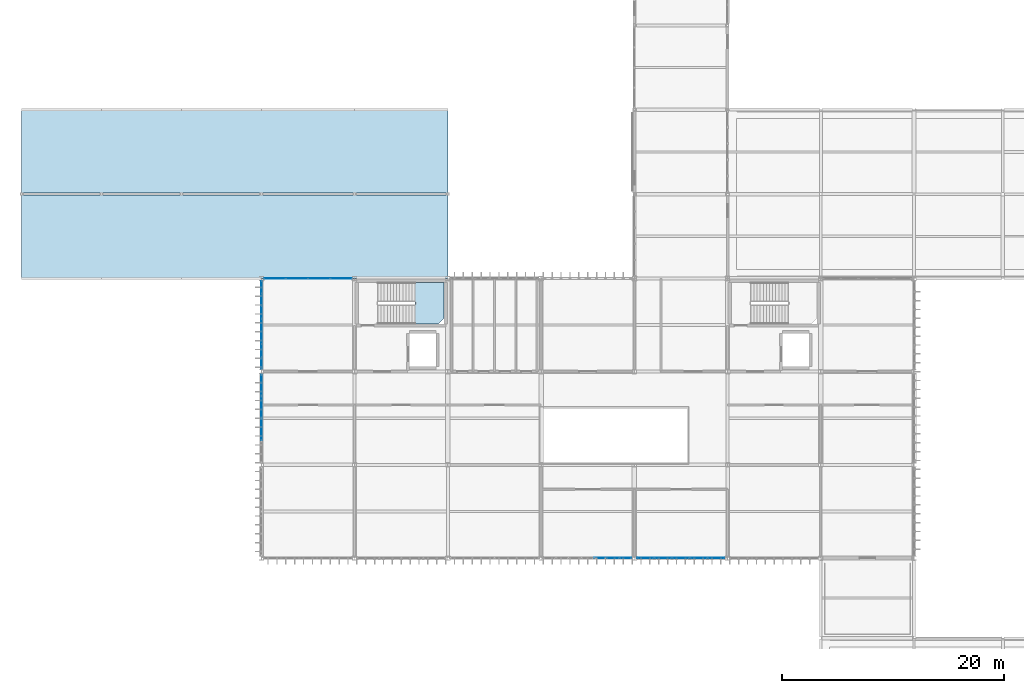
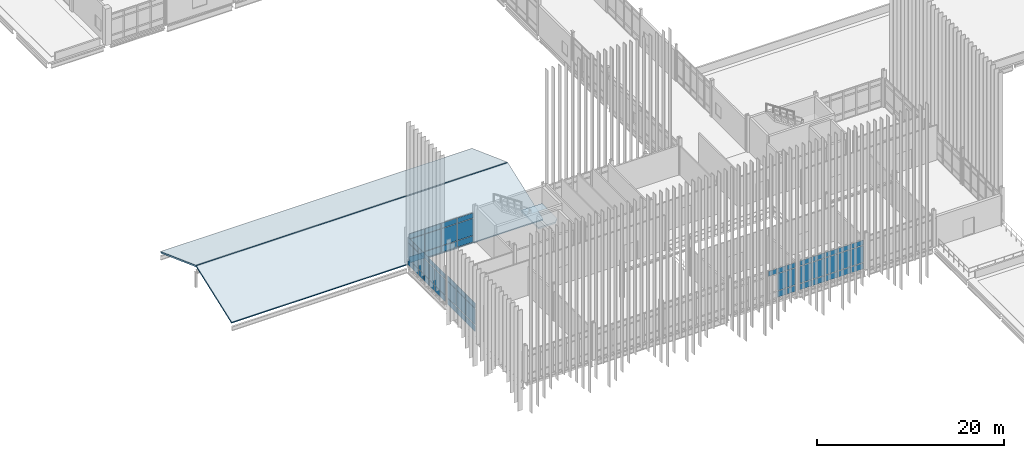
# One storey, part 97 of 153: 64 plates, 3 slabs, 6 elements without a shape of their own.
"""IFC4 building model written with IfcOpenShell, lengths in metres."""

from ifc_helpers import new_model, si_unit, direction, frame, origin, origin_2d, place, context, subcontext, project, spatial, polyline, rectangle, outline, extrude, material, layer, layer_set, type_object, element, aggregate, save


model = new_model("IFC4")

# Units and contexts
model_context = context("Model", 3, precision=1e-05, world=origin(), true_north=direction((0.0, 1.0)))
body_context = subcontext(model_context, "Body", "Model", "MODEL_VIEW")
ifc_project = project(units=[si_unit("LENGTHUNIT", "METRE"), si_unit("AREAUNIT", "SQUARE_METRE"), si_unit("VOLUMEUNIT", "CUBIC_METRE"), si_unit("PLANEANGLEUNIT", "RADIAN"), si_unit("MASSUNIT", "GRAM", prefix="KILO")], contexts=[model_context])

# Site, building, storey
site_placement = place(None, origin())
site = spatial("IfcSite", under=ifc_project, at=site_placement, CompositionType="ELEMENT")
building_placement = place(site_placement, origin())
building = spatial("IfcBuilding", under=site, at=building_placement, Name="Calvrana Isthmian Art Gallery", CompositionType="ELEMENT")
storey_placement = place(building_placement, frame((0.0, 0.0, 10.199951171875)))
storey = spatial("IfcBuildingStorey", under=building, at=storey_placement, Name="L02", CompositionType="ELEMENT", Elevation=10.199951171875)

# Curtain wall, plates
ifc_material_1 = material(Name="Anodized bronze aluminium 6063-T6", Category="aluminium")
ifc_layer_1 = layer(ifc_material_1, 0.179931640625, Name="Anodized bronze aluminium 6063-T6")
ifc_layer_set_1 = layer_set([ifc_layer_1], Name="Anodized bronze aluminium 6063-T6")
curtain_wall_type_1 = type_object("IfcCurtainWallType", Name="CW-STICK-080X39", PredefinedType="NOTDEFINED", material=ifc_layer_set_1)
curtain_wall_1_placement = place(storey_placement, origin())
curtain_wall_1 = element("IfcCurtainWall", 1, at=curtain_wall_1_placement, inside=storey, type_object=curtain_wall_type_1, Name="Curtain wall CW-148", PredefinedType="NOTDEFINED")
ifc_material_2 = material(Name="Low-E laminated solar glass", Category="glass")
ifc_layer_2 = layer(ifc_material_2, 0.028076171875, Name="Low-E laminated solar glass")
ifc_layer_set_2 = layer_set([ifc_layer_2], Name="Low-E laminated solar glass")
plate_type = type_object("IfcPlateType", Name="CWP-VISION-28", PredefinedType="CURTAIN_PANEL", material=ifc_layer_set_2)
plate_1_placement = place(storey_placement, frame((54.409423828125, 21.60009765625, 0.070068359375), z_axis=(0.0, 0.0, 1.0), x_axis=(-1.0, 0.0, 0.0)))
plate_1 = element("IfcPlate", 2, at=plate_1_placement, type_object=plate_type, Name="CW-148 panel 1.1", PredefinedType="CURTAIN_PANEL", context=body_context, shape_type="SweptSolid", body=[
    extrude(rectangle(XDim=1.032470703125, YDim=0.028076171875, at=origin_2d()), origin(), (0.0, 0.0, 1.0), 0.794921875),
])
plate_2_placement = place(storey_placement, frame((54.409423828125, 21.60009765625, 0.93505859375), z_axis=(0.0, 0.0, 1.0), x_axis=(-1.0, 0.0, 0.0)))
plate_2 = element("IfcPlate", 3, at=plate_2_placement, type_object=plate_type, Name="CW-148 panel 1.2", PredefinedType="CURTAIN_PANEL", context=body_context, shape_type="SweptSolid", body=[
    extrude(rectangle(XDim=1.032470703125, YDim=0.028076171875, at=origin_2d()), origin(), (0.0, 0.0, 1.0), 2.197998046875),
])
plate_3_placement = place(storey_placement, frame((54.409423828125, 21.60009765625, 3.203125), z_axis=(0.0, 0.0, 1.0), x_axis=(-1.0, 0.0, 0.0)))
plate_3 = element("IfcPlate", 4, at=plate_3_placement, type_object=plate_type, Name="CW-148 panel 1.3", PredefinedType="CURTAIN_PANEL", context=body_context, shape_type="SweptSolid", body=[
    extrude(rectangle(XDim=1.032470703125, YDim=0.028076171875, at=origin_2d()), origin(), (0.0, 0.0, 1.0), 0.64501953125),
])
plate_4_placement = place(storey_placement, frame((53.283203125, 21.60009765625, 0.070068359375), z_axis=(0.0, 0.0, 1.0), x_axis=(-1.0, 0.0, 0.0)))
plate_4 = element("IfcPlate", 5, at=plate_4_placement, type_object=plate_type, Name="CW-148 panel 2.1", PredefinedType="CURTAIN_PANEL", context=body_context, shape_type="SweptSolid", body=[
    extrude(rectangle(XDim=1.06982421875, YDim=0.028076171875, at=origin_2d()), origin(), (0.0, 0.0, 1.0), 0.794921875),
])
plate_5_placement = place(storey_placement, frame((53.283203125, 21.60009765625, 0.93505859375), z_axis=(0.0, 0.0, 1.0), x_axis=(-1.0, 0.0, 0.0)))
plate_5 = element("IfcPlate", 6, at=plate_5_placement, type_object=plate_type, Name="CW-148 panel 2.2", PredefinedType="CURTAIN_PANEL", context=body_context, shape_type="SweptSolid", body=[
    extrude(rectangle(XDim=1.06982421875, YDim=0.028076171875, at=origin_2d()), origin(), (0.0, 0.0, 1.0), 2.197998046875),
])
plate_6_placement = place(storey_placement, frame((53.283203125, 21.60009765625, 3.203125), z_axis=(0.0, 0.0, 1.0), x_axis=(-1.0, 0.0, 0.0)))
plate_6 = element("IfcPlate", 7, at=plate_6_placement, type_object=plate_type, Name="CW-148 panel 2.3", PredefinedType="CURTAIN_PANEL", context=body_context, shape_type="SweptSolid", body=[
    extrude(rectangle(XDim=1.06982421875, YDim=0.028076171875, at=origin_2d()), origin(), (0.0, 0.0, 1.0), 0.64501953125),
])
plate_7_placement = place(storey_placement, frame((52.138427734375, 21.60009765625, 3.203125), z_axis=(0.0, 0.0, 1.0), x_axis=(-1.0, 0.0, 0.0)))
plate_7 = element("IfcPlate", 8, at=plate_7_placement, type_object=plate_type, Name="CW-148 panel 3.3", PredefinedType="CURTAIN_PANEL", context=body_context, shape_type="SweptSolid", body=[
    extrude(rectangle(XDim=1.06982421875, YDim=0.028076171875, at=origin_2d()), origin(), (0.0, 0.0, 1.0), 0.64501953125),
])
aggregate(curtain_wall_1, [plate_1, plate_2, plate_3, plate_4, plate_5, plate_6, plate_7])

curtain_wall_2_placement = place(storey_placement, origin())
curtain_wall_2 = element("IfcCurtainWall", 9, at=curtain_wall_2_placement, inside=storey, type_object=curtain_wall_type_1, Name="Curtain wall CW-149", PredefinedType="NOTDEFINED")
plate_8_placement = place(storey_placement, frame((62.581787109375, 21.60009765625, 0.074951171875), z_axis=(0.0, 0.0, 1.0), x_axis=(-1.0, 0.0, 0.0)))
plate_8 = element("IfcPlate", 10, at=plate_8_placement, type_object=plate_type, Name="CW-149 panel 1.1", PredefinedType="CURTAIN_PANEL", context=body_context, shape_type="SweptSolid", body=[
    extrude(rectangle(XDim=1.48046875, YDim=0.028076171875, at=origin_2d()), origin(), (0.0, 0.0, 1.0), 0.78759765625),
])
plate_9_placement = place(storey_placement, frame((62.581787109375, 21.60009765625, 0.9375), z_axis=(0.0, 0.0, 1.0), x_axis=(-1.0, 0.0, 0.0)))
plate_9 = element("IfcPlate", 11, at=plate_9_placement, type_object=plate_type, Name="CW-149 panel 1.2", PredefinedType="CURTAIN_PANEL", context=body_context, shape_type="SweptSolid", body=[
    extrude(rectangle(XDim=1.48046875, YDim=0.028076171875, at=origin_2d()), origin(), (0.0, 0.0, 1.0), 2.202880859375),
])
plate_10_placement = place(storey_placement, frame((62.581787109375, 21.60009765625, 3.21533203125), z_axis=(0.0, 0.0, 1.0), x_axis=(-1.0, 0.0, 0.0)))
plate_10 = element("IfcPlate", 12, at=plate_10_placement, type_object=plate_type, Name="CW-149 panel 1.3", PredefinedType="CURTAIN_PANEL", context=body_context, shape_type="SweptSolid", body=[
    extrude(rectangle(XDim=1.48046875, YDim=0.028076171875, at=origin_2d()), origin(), (0.0, 0.0, 1.0), 0.637451171875),
])
plate_11_placement = place(storey_placement, frame((61.001220703125, 21.60009765625, 0.074951171875), z_axis=(0.0, 0.0, 1.0), x_axis=(-1.0, 0.0, 0.0)))
plate_11 = element("IfcPlate", 13, at=plate_11_placement, type_object=plate_type, Name="CW-149 panel 2.1", PredefinedType="CURTAIN_PANEL", context=body_context, shape_type="SweptSolid", body=[
    extrude(rectangle(XDim=1.5205078125, YDim=0.028076171875, at=origin_2d()), origin(), (0.0, 0.0, 1.0), 0.78759765625),
])
plate_12_placement = place(storey_placement, frame((61.001220703125, 21.60009765625, 0.9375), z_axis=(0.0, 0.0, 1.0), x_axis=(-1.0, 0.0, 0.0)))
plate_12 = element("IfcPlate", 14, at=plate_12_placement, type_object=plate_type, Name="CW-149 panel 2.2", PredefinedType="CURTAIN_PANEL", context=body_context, shape_type="SweptSolid", body=[
    extrude(rectangle(XDim=1.5205078125, YDim=0.028076171875, at=origin_2d()), origin(), (0.0, 0.0, 1.0), 2.202880859375),
])
plate_13_placement = place(storey_placement, frame((61.001220703125, 21.60009765625, 3.21533203125), z_axis=(0.0, 0.0, 1.0), x_axis=(-1.0, 0.0, 0.0)))
plate_13 = element("IfcPlate", 15, at=plate_13_placement, type_object=plate_type, Name="CW-149 panel 2.3", PredefinedType="CURTAIN_PANEL", context=body_context, shape_type="SweptSolid", body=[
    extrude(rectangle(XDim=1.5205078125, YDim=0.028076171875, at=origin_2d()), origin(), (0.0, 0.0, 1.0), 0.637451171875),
])
plate_14_placement = place(storey_placement, frame((59.400634765625, 21.60009765625, 0.074951171875), z_axis=(0.0, 0.0, 1.0), x_axis=(-1.0, 0.0, 0.0)))
plate_14 = element("IfcPlate", 16, at=plate_14_placement, type_object=plate_type, Name="CW-149 panel 3.1", PredefinedType="CURTAIN_PANEL", context=body_context, shape_type="SweptSolid", body=[
    extrude(rectangle(XDim=1.5205078125, YDim=0.028076171875, at=origin_2d()), origin(), (0.0, 0.0, 1.0), 0.78759765625),
])
plate_15_placement = place(storey_placement, frame((59.400634765625, 21.60009765625, 0.9375), z_axis=(0.0, 0.0, 1.0), x_axis=(-1.0, 0.0, 0.0)))
plate_15 = element("IfcPlate", 17, at=plate_15_placement, type_object=plate_type, Name="CW-149 panel 3.2", PredefinedType="CURTAIN_PANEL", context=body_context, shape_type="SweptSolid", body=[
    extrude(rectangle(XDim=1.5205078125, YDim=0.028076171875, at=origin_2d()), origin(), (0.0, 0.0, 1.0), 2.202880859375),
])
plate_16_placement = place(storey_placement, frame((59.400634765625, 21.60009765625, 3.21533203125), z_axis=(0.0, 0.0, 1.0), x_axis=(-1.0, 0.0, 0.0)))
plate_16 = element("IfcPlate", 18, at=plate_16_placement, type_object=plate_type, Name="CW-149 panel 3.3", PredefinedType="CURTAIN_PANEL", context=body_context, shape_type="SweptSolid", body=[
    extrude(rectangle(XDim=1.5205078125, YDim=0.028076171875, at=origin_2d()), origin(), (0.0, 0.0, 1.0), 0.637451171875),
])
plate_17_placement = place(storey_placement, frame((57.80029296875, 21.60009765625, 0.074951171875), z_axis=(0.0, 0.0, 1.0), x_axis=(-1.0, 0.0, 0.0)))
plate_17 = element("IfcPlate", 19, at=plate_17_placement, type_object=plate_type, Name="CW-149 panel 4.1", PredefinedType="CURTAIN_PANEL", context=body_context, shape_type="SweptSolid", body=[
    extrude(rectangle(XDim=1.5205078125, YDim=0.028076171875, at=origin_2d()), origin(), (0.0, 0.0, 1.0), 0.78759765625),
])
plate_18_placement = place(storey_placement, frame((57.80029296875, 21.60009765625, 0.9375), z_axis=(0.0, 0.0, 1.0), x_axis=(-1.0, 0.0, 0.0)))
plate_18 = element("IfcPlate", 20, at=plate_18_placement, type_object=plate_type, Name="CW-149 panel 4.2", PredefinedType="CURTAIN_PANEL", context=body_context, shape_type="SweptSolid", body=[
    extrude(rectangle(XDim=1.5205078125, YDim=0.028076171875, at=origin_2d()), origin(), (0.0, 0.0, 1.0), 2.202880859375),
])
plate_19_placement = place(storey_placement, frame((57.80029296875, 21.60009765625, 3.21533203125), z_axis=(0.0, 0.0, 1.0), x_axis=(-1.0, 0.0, 0.0)))
plate_19 = element("IfcPlate", 21, at=plate_19_placement, type_object=plate_type, Name="CW-149 panel 4.3", PredefinedType="CURTAIN_PANEL", context=body_context, shape_type="SweptSolid", body=[
    extrude(rectangle(XDim=1.5205078125, YDim=0.028076171875, at=origin_2d()), origin(), (0.0, 0.0, 1.0), 0.637451171875),
])
plate_20_placement = place(storey_placement, frame((56.2197265625, 21.60009765625, 0.074951171875), z_axis=(0.0, 0.0, 1.0), x_axis=(-1.0, 0.0, 0.0)))
plate_20 = element("IfcPlate", 22, at=plate_20_placement, type_object=plate_type, Name="CW-149 panel 5.1", PredefinedType="CURTAIN_PANEL", context=body_context, shape_type="SweptSolid", body=[
    extrude(rectangle(XDim=1.48046875, YDim=0.028076171875, at=origin_2d()), origin(), (0.0, 0.0, 1.0), 0.78759765625),
])
plate_21_placement = place(storey_placement, frame((56.2197265625, 21.60009765625, 0.9375), z_axis=(0.0, 0.0, 1.0), x_axis=(-1.0, 0.0, 0.0)))
plate_21 = element("IfcPlate", 23, at=plate_21_placement, type_object=plate_type, Name="CW-149 panel 5.2", PredefinedType="CURTAIN_PANEL", context=body_context, shape_type="SweptSolid", body=[
    extrude(rectangle(XDim=1.48046875, YDim=0.028076171875, at=origin_2d()), origin(), (0.0, 0.0, 1.0), 2.202880859375),
])
plate_22_placement = place(storey_placement, frame((56.2197265625, 21.60009765625, 3.21533203125), z_axis=(0.0, 0.0, 1.0), x_axis=(-1.0, 0.0, 0.0)))
plate_22 = element("IfcPlate", 24, at=plate_22_placement, type_object=plate_type, Name="CW-149 panel 5.3", PredefinedType="CURTAIN_PANEL", context=body_context, shape_type="SweptSolid", body=[
    extrude(rectangle(XDim=1.48046875, YDim=0.028076171875, at=origin_2d()), origin(), (0.0, 0.0, 1.0), 0.637451171875),
])
aggregate(curtain_wall_2, [plate_8, plate_9, plate_10, plate_11, plate_12, plate_13, plate_14, plate_15, plate_16, plate_17, plate_18, plate_19, plate_20, plate_21, plate_22])

curtain_wall_3_placement = place(storey_placement, origin())
curtain_wall_3 = element("IfcCurtainWall", 25, at=curtain_wall_3_placement, inside=storey, type_object=curtain_wall_type_1, Name="Curtain wall CW-151", PredefinedType="NOTDEFINED")
plate_23_placement = place(storey_placement, frame((22.813720703125, 46.800048828125, 0.06005859375), z_axis=(0.0, 0.0, 1.0), x_axis=(1.0, 0.0, 0.0)))
plate_23 = element("IfcPlate", 26, at=plate_23_placement, type_object=plate_type, Name="CW-151 panel 1.1", PredefinedType="CURTAIN_PANEL", context=body_context, shape_type="SweptSolid", body=[
    extrude(rectangle(XDim=1.9111328125, YDim=0.028076171875, at=origin_2d()), origin(), (0.0, 0.0, 1.0), 0.81005859375),
])
plate_24_placement = place(storey_placement, frame((22.813720703125, 46.800048828125, 0.929931640625), z_axis=(0.0, 0.0, 1.0), x_axis=(1.0, 0.0, 0.0)))
plate_24 = element("IfcPlate", 27, at=plate_24_placement, type_object=plate_type, Name="CW-151 panel 1.2", PredefinedType="CURTAIN_PANEL", context=body_context, shape_type="SweptSolid", body=[
    extrude(rectangle(XDim=1.9111328125, YDim=0.028076171875, at=origin_2d()), origin(), (0.0, 0.0, 1.0), 2.2080078125),
])
plate_25_placement = place(storey_placement, frame((22.813720703125, 46.800048828125, 3.1982421875), z_axis=(0.0, 0.0, 1.0), x_axis=(1.0, 0.0, 0.0)))
plate_25 = element("IfcPlate", 28, at=plate_25_placement, type_object=plate_type, Name="CW-151 panel 1.3", PredefinedType="CURTAIN_PANEL", context=body_context, shape_type="SweptSolid", body=[
    extrude(rectangle(XDim=1.9111328125, YDim=0.028076171875, at=origin_2d()), origin(), (0.0, 0.0, 1.0), 0.659912109375),
])
plate_26_placement = place(storey_placement, frame((24.7998046875, 46.800048828125, 0.06005859375), z_axis=(0.0, 0.0, 1.0), x_axis=(1.0, 0.0, 0.0)))
plate_26 = element("IfcPlate", 29, at=plate_26_placement, type_object=plate_type, Name="CW-151 panel 2.1", PredefinedType="CURTAIN_PANEL", context=body_context, shape_type="SweptSolid", body=[
    extrude(rectangle(XDim=1.941162109375, YDim=0.028076171875, at=origin_2d()), origin(), (0.0, 0.0, 1.0), 0.81005859375),
])
plate_27_placement = place(storey_placement, frame((24.7998046875, 46.800048828125, 0.929931640625), z_axis=(0.0, 0.0, 1.0), x_axis=(1.0, 0.0, 0.0)))
plate_27 = element("IfcPlate", 30, at=plate_27_placement, type_object=plate_type, Name="CW-151 panel 2.2", PredefinedType="CURTAIN_PANEL", context=body_context, shape_type="SweptSolid", body=[
    extrude(rectangle(XDim=1.941162109375, YDim=0.028076171875, at=origin_2d()), origin(), (0.0, 0.0, 1.0), 2.2080078125),
])
plate_28_placement = place(storey_placement, frame((24.7998046875, 46.800048828125, 3.1982421875), z_axis=(0.0, 0.0, 1.0), x_axis=(1.0, 0.0, 0.0)))
plate_28 = element("IfcPlate", 31, at=plate_28_placement, type_object=plate_type, Name="CW-151 panel 2.3", PredefinedType="CURTAIN_PANEL", context=body_context, shape_type="SweptSolid", body=[
    extrude(rectangle(XDim=1.941162109375, YDim=0.028076171875, at=origin_2d()), origin(), (0.0, 0.0, 1.0), 0.659912109375),
])
plate_29_placement = place(storey_placement, frame((26.801025390625, 46.800048828125, 0.06005859375), z_axis=(0.0, 0.0, 1.0), x_axis=(1.0, 0.0, 0.0)))
plate_29 = element("IfcPlate", 32, at=plate_29_placement, type_object=plate_type, Name="CW-151 panel 3.1", PredefinedType="CURTAIN_PANEL", context=body_context, shape_type="SweptSolid", body=[
    extrude(rectangle(XDim=1.941162109375, YDim=0.028076171875, at=origin_2d()), origin(), (0.0, 0.0, 1.0), 0.81005859375),
])
plate_30_placement = place(storey_placement, frame((26.801025390625, 46.800048828125, 0.929931640625), z_axis=(0.0, 0.0, 1.0), x_axis=(1.0, 0.0, 0.0)))
plate_30 = element("IfcPlate", 33, at=plate_30_placement, type_object=plate_type, Name="CW-151 panel 3.2", PredefinedType="CURTAIN_PANEL", context=body_context, shape_type="SweptSolid", body=[
    extrude(rectangle(XDim=1.941162109375, YDim=0.028076171875, at=origin_2d()), origin(), (0.0, 0.0, 1.0), 2.2080078125),
])
plate_31_placement = place(storey_placement, frame((26.801025390625, 46.800048828125, 3.1982421875), z_axis=(0.0, 0.0, 1.0), x_axis=(1.0, 0.0, 0.0)))
plate_31 = element("IfcPlate", 34, at=plate_31_placement, type_object=plate_type, Name="CW-151 panel 3.3", PredefinedType="CURTAIN_PANEL", context=body_context, shape_type="SweptSolid", body=[
    extrude(rectangle(XDim=1.941162109375, YDim=0.028076171875, at=origin_2d()), origin(), (0.0, 0.0, 1.0), 0.659912109375),
])
plate_32_placement = place(storey_placement, frame((28.787353515625, 46.800048828125, 0.06005859375), z_axis=(0.0, 0.0, 1.0), x_axis=(1.0, 0.0, 0.0)))
plate_32 = element("IfcPlate", 35, at=plate_32_placement, type_object=plate_type, Name="CW-151 panel 4.1", PredefinedType="CURTAIN_PANEL", context=body_context, shape_type="SweptSolid", body=[
    extrude(rectangle(XDim=1.9111328125, YDim=0.028076171875, at=origin_2d()), origin(), (0.0, 0.0, 1.0), 0.81005859375),
])
plate_33_placement = place(storey_placement, frame((28.787353515625, 46.800048828125, 0.929931640625), z_axis=(0.0, 0.0, 1.0), x_axis=(1.0, 0.0, 0.0)))
plate_33 = element("IfcPlate", 36, at=plate_33_placement, type_object=plate_type, Name="CW-151 panel 4.2", PredefinedType="CURTAIN_PANEL", context=body_context, shape_type="SweptSolid", body=[
    extrude(rectangle(XDim=1.9111328125, YDim=0.028076171875, at=origin_2d()), origin(), (0.0, 0.0, 1.0), 2.2080078125),
])
plate_34_placement = place(storey_placement, frame((28.787353515625, 46.800048828125, 3.1982421875), z_axis=(0.0, 0.0, 1.0), x_axis=(1.0, 0.0, 0.0)))
plate_34 = element("IfcPlate", 37, at=plate_34_placement, type_object=plate_type, Name="CW-151 panel 4.3", PredefinedType="CURTAIN_PANEL", context=body_context, shape_type="SweptSolid", body=[
    extrude(rectangle(XDim=1.9111328125, YDim=0.028076171875, at=origin_2d()), origin(), (0.0, 0.0, 1.0), 0.659912109375),
])
aggregate(curtain_wall_3, [plate_23, plate_24, plate_25, plate_26, plate_27, plate_28, plate_29, plate_30, plate_31, plate_32, plate_33, plate_34])

ifc_layer_3 = layer(ifc_material_1, 0.179931640625, Name="Anodized bronze aluminium 6063-T6")
ifc_layer_set_3 = layer_set([ifc_layer_3], Name="Anodized bronze aluminium 6063-T6")
curtain_wall_type_2 = type_object("IfcCurtainWallType", Name="CW-UNIT-080X38", PredefinedType="USERDEFINED", material=ifc_layer_set_3)
curtain_wall_4_placement = place(storey_placement, origin())
curtain_wall_4 = element("IfcCurtainWall", 38, at=curtain_wall_4_placement, inside=storey, type_object=curtain_wall_type_2, Name="Curtain wall CW-167", ObjectType="UNITISED CURTAIN WALL", PredefinedType="USERDEFINED")
plate_35_placement = place(storey_placement, frame((21.60009765625, 33.193115234375, 0.06494140625), z_axis=(0.0, 0.0, 1.0), x_axis=(0.0, 1.0, 0.0)))
plate_35 = element("IfcPlate", 39, at=plate_35_placement, type_object=plate_type, Name="CW-167 panel 2.1", PredefinedType="CURTAIN_PANEL", context=body_context, shape_type="SweptSolid", body=[
    extrude(rectangle(XDim=1.93017578125, YDim=0.028076171875, at=origin_2d()), origin(), (0.0, 0.0, 1.0), 0.802490234375),
])
plate_36_placement = place(storey_placement, frame((21.60009765625, 33.193115234375, 0.9326171875), z_axis=(0.0, 0.0, 1.0), x_axis=(0.0, 1.0, 0.0)))
plate_36 = element("IfcPlate", 40, at=plate_36_placement, type_object=plate_type, Name="CW-167 panel 2.2", PredefinedType="CURTAIN_PANEL", context=body_context, shape_type="SweptSolid", body=[
    extrude(rectangle(XDim=1.93017578125, YDim=0.028076171875, at=origin_2d()), origin(), (0.0, 0.0, 1.0), 2.132080078125),
])
plate_37_placement = place(storey_placement, frame((21.60009765625, 33.193115234375, 3.12939453125), z_axis=(0.0, 0.0, 1.0), x_axis=(0.0, 1.0, 0.0)))
plate_37 = element("IfcPlate", 41, at=plate_37_placement, type_object=plate_type, Name="CW-167 panel 2.3", PredefinedType="CURTAIN_PANEL", context=body_context, shape_type="SweptSolid", body=[
    extrude(rectangle(XDim=1.93017578125, YDim=0.028076171875, at=origin_2d()), origin(), (0.0, 0.0, 1.0), 0.652587890625),
])
plate_38_placement = place(storey_placement, frame((21.60009765625, 35.203369140625, 0.06494140625), z_axis=(0.0, 0.0, 1.0), x_axis=(0.0, 1.0, 0.0)))
plate_38 = element("IfcPlate", 42, at=plate_38_placement, type_object=plate_type, Name="CW-167 panel 3.1", PredefinedType="CURTAIN_PANEL", context=body_context, shape_type="SweptSolid", body=[
    extrude(rectangle(XDim=1.93017578125, YDim=0.028076171875, at=origin_2d()), origin(), (0.0, 0.0, 1.0), 0.802490234375),
])
plate_39_placement = place(storey_placement, frame((21.60009765625, 35.203369140625, 0.9326171875), z_axis=(0.0, 0.0, 1.0), x_axis=(0.0, 1.0, 0.0)))
plate_39 = element("IfcPlate", 43, at=plate_39_placement, type_object=plate_type, Name="CW-167 panel 3.2", PredefinedType="CURTAIN_PANEL", context=body_context, shape_type="SweptSolid", body=[
    extrude(rectangle(XDim=1.93017578125, YDim=0.028076171875, at=origin_2d()), origin(), (0.0, 0.0, 1.0), 2.132080078125),
])
plate_40_placement = place(storey_placement, frame((21.60009765625, 35.203369140625, 3.12939453125), z_axis=(0.0, 0.0, 1.0), x_axis=(0.0, 1.0, 0.0)))
plate_40 = element("IfcPlate", 44, at=plate_40_placement, type_object=plate_type, Name="CW-167 panel 3.3", PredefinedType="CURTAIN_PANEL", context=body_context, shape_type="SweptSolid", body=[
    extrude(rectangle(XDim=1.93017578125, YDim=0.028076171875, at=origin_2d()), origin(), (0.0, 0.0, 1.0), 0.652587890625),
])
plate_41_placement = place(storey_placement, frame((21.60009765625, 37.193359375, 0.06494140625), z_axis=(0.0, 0.0, 1.0), x_axis=(0.0, 1.0, 0.0)))
plate_41 = element("IfcPlate", 45, at=plate_41_placement, type_object=plate_type, Name="CW-167 panel 4.1", PredefinedType="CURTAIN_PANEL", context=body_context, shape_type="SweptSolid", body=[
    extrude(rectangle(XDim=1.89013671875, YDim=0.028076171875, at=origin_2d()), origin(), (0.0, 0.0, 1.0), 0.802490234375),
])
plate_42_placement = place(storey_placement, frame((21.60009765625, 37.193359375, 0.9326171875), z_axis=(0.0, 0.0, 1.0), x_axis=(0.0, 1.0, 0.0)))
plate_42 = element("IfcPlate", 46, at=plate_42_placement, type_object=plate_type, Name="CW-167 panel 4.2", PredefinedType="CURTAIN_PANEL", context=body_context, shape_type="SweptSolid", body=[
    extrude(rectangle(XDim=1.89013671875, YDim=0.028076171875, at=origin_2d()), origin(), (0.0, 0.0, 1.0), 2.132080078125),
])
plate_43_placement = place(storey_placement, frame((21.60009765625, 37.193359375, 3.12939453125), z_axis=(0.0, 0.0, 1.0), x_axis=(0.0, 1.0, 0.0)))
plate_43 = element("IfcPlate", 47, at=plate_43_placement, type_object=plate_type, Name="CW-167 panel 4.3", PredefinedType="CURTAIN_PANEL", context=body_context, shape_type="SweptSolid", body=[
    extrude(rectangle(XDim=1.89013671875, YDim=0.028076171875, at=origin_2d()), origin(), (0.0, 0.0, 1.0), 0.652587890625),
])
aggregate(curtain_wall_4, [plate_35, plate_36, plate_37, plate_38, plate_39, plate_40, plate_41, plate_42, plate_43])

curtain_wall_5_placement = place(storey_placement, origin())
curtain_wall_5 = element("IfcCurtainWall", 48, at=curtain_wall_5_placement, inside=storey, type_object=curtain_wall_type_2, Name="Curtain wall CW-168", ObjectType="UNITISED CURTAIN WALL", PredefinedType="USERDEFINED")
plate_44_placement = place(storey_placement, frame((21.60009765625, 39.169921875, 0.070068359375), z_axis=(0.0, 0.0, 1.0), x_axis=(0.0, 1.0, 0.0)))
plate_44 = element("IfcPlate", 49, at=plate_44_placement, type_object=plate_type, Name="CW-168 panel 1.1", PredefinedType="CURTAIN_PANEL", context=body_context, shape_type="SweptSolid", body=[
    extrude(rectangle(XDim=1.056884765625, YDim=0.028076171875, at=origin_2d()), origin(), (0.0, 0.0, 1.0), 0.794921875),
])
plate_45_placement = place(storey_placement, frame((21.60009765625, 39.169921875, 0.93505859375), z_axis=(0.0, 0.0, 1.0), x_axis=(0.0, 1.0, 0.0)))
plate_45 = element("IfcPlate", 50, at=plate_45_placement, type_object=plate_type, Name="CW-168 panel 1.2", PredefinedType="CURTAIN_PANEL", context=body_context, shape_type="SweptSolid", body=[
    extrude(rectangle(XDim=1.056884765625, YDim=0.028076171875, at=origin_2d()), origin(), (0.0, 0.0, 1.0), 2.048095703125),
])
plate_46_placement = place(storey_placement, frame((21.60009765625, 39.169921875, 3.052978515625), z_axis=(0.0, 0.0, 1.0), x_axis=(0.0, 1.0, 0.0)))
plate_46 = element("IfcPlate", 51, at=plate_46_placement, type_object=plate_type, Name="CW-168 panel 1.3", PredefinedType="CURTAIN_PANEL", context=body_context, shape_type="SweptSolid", body=[
    extrude(rectangle(XDim=1.056884765625, YDim=0.028076171875, at=origin_2d()), origin(), (0.0, 0.0, 1.0), 0.64501953125),
])
plate_47_placement = place(storey_placement, frame((21.60009765625, 40.3017578125, 0.070068359375), z_axis=(0.0, 0.0, 1.0), x_axis=(0.0, 1.0, 0.0)))
plate_47 = element("IfcPlate", 52, at=plate_47_placement, type_object=plate_type, Name="CW-168 panel 2.1", PredefinedType="CURTAIN_PANEL", context=body_context, shape_type="SweptSolid", body=[
    extrude(rectangle(XDim=1.0869140625, YDim=0.028076171875, at=origin_2d()), origin(), (0.0, 0.0, 1.0), 0.794921875),
])
plate_48_placement = place(storey_placement, frame((21.60009765625, 40.3017578125, 0.93505859375), z_axis=(0.0, 0.0, 1.0), x_axis=(0.0, 1.0, 0.0)))
plate_48 = element("IfcPlate", 53, at=plate_48_placement, type_object=plate_type, Name="CW-168 panel 2.2", PredefinedType="CURTAIN_PANEL", context=body_context, shape_type="SweptSolid", body=[
    extrude(rectangle(XDim=1.0869140625, YDim=0.028076171875, at=origin_2d()), origin(), (0.0, 0.0, 1.0), 2.048095703125),
])
plate_49_placement = place(storey_placement, frame((21.60009765625, 40.3017578125, 3.052978515625), z_axis=(0.0, 0.0, 1.0), x_axis=(0.0, 1.0, 0.0)))
plate_49 = element("IfcPlate", 54, at=plate_49_placement, type_object=plate_type, Name="CW-168 panel 2.3", PredefinedType="CURTAIN_PANEL", context=body_context, shape_type="SweptSolid", body=[
    extrude(rectangle(XDim=1.0869140625, YDim=0.028076171875, at=origin_2d()), origin(), (0.0, 0.0, 1.0), 0.64501953125),
])
plate_50_placement = place(storey_placement, frame((21.60009765625, 41.44873046875, 0.070068359375), z_axis=(0.0, 0.0, 1.0), x_axis=(0.0, 1.0, 0.0)))
plate_50 = element("IfcPlate", 55, at=plate_50_placement, type_object=plate_type, Name="CW-168 panel 3.1", PredefinedType="CURTAIN_PANEL", context=body_context, shape_type="SweptSolid", body=[
    extrude(rectangle(XDim=1.0869140625, YDim=0.028076171875, at=origin_2d()), origin(), (0.0, 0.0, 1.0), 0.794921875),
])
plate_51_placement = place(storey_placement, frame((21.60009765625, 41.44873046875, 0.93505859375), z_axis=(0.0, 0.0, 1.0), x_axis=(0.0, 1.0, 0.0)))
plate_51 = element("IfcPlate", 56, at=plate_51_placement, type_object=plate_type, Name="CW-168 panel 3.2", PredefinedType="CURTAIN_PANEL", context=body_context, shape_type="SweptSolid", body=[
    extrude(rectangle(XDim=1.0869140625, YDim=0.028076171875, at=origin_2d()), origin(), (0.0, 0.0, 1.0), 2.048095703125),
])
plate_52_placement = place(storey_placement, frame((21.60009765625, 41.44873046875, 3.052978515625), z_axis=(0.0, 0.0, 1.0), x_axis=(0.0, 1.0, 0.0)))
plate_52 = element("IfcPlate", 57, at=plate_52_placement, type_object=plate_type, Name="CW-168 panel 3.3", PredefinedType="CURTAIN_PANEL", context=body_context, shape_type="SweptSolid", body=[
    extrude(rectangle(XDim=1.0869140625, YDim=0.028076171875, at=origin_2d()), origin(), (0.0, 0.0, 1.0), 0.64501953125),
])
plate_53_placement = place(storey_placement, frame((21.60009765625, 42.595458984375, 0.070068359375), z_axis=(0.0, 0.0, 1.0), x_axis=(0.0, 1.0, 0.0)))
plate_53 = element("IfcPlate", 58, at=plate_53_placement, type_object=plate_type, Name="CW-168 panel 4.1", PredefinedType="CURTAIN_PANEL", context=body_context, shape_type="SweptSolid", body=[
    extrude(rectangle(XDim=1.0869140625, YDim=0.028076171875, at=origin_2d()), origin(), (0.0, 0.0, 1.0), 0.794921875),
])
plate_54_placement = place(storey_placement, frame((21.60009765625, 42.595458984375, 0.93505859375), z_axis=(0.0, 0.0, 1.0), x_axis=(0.0, 1.0, 0.0)))
plate_54 = element("IfcPlate", 59, at=plate_54_placement, type_object=plate_type, Name="CW-168 panel 4.2", PredefinedType="CURTAIN_PANEL", context=body_context, shape_type="SweptSolid", body=[
    extrude(rectangle(XDim=1.0869140625, YDim=0.028076171875, at=origin_2d()), origin(), (0.0, 0.0, 1.0), 2.048095703125),
])
plate_55_placement = place(storey_placement, frame((21.60009765625, 42.595458984375, 3.052978515625), z_axis=(0.0, 0.0, 1.0), x_axis=(0.0, 1.0, 0.0)))
plate_55 = element("IfcPlate", 60, at=plate_55_placement, type_object=plate_type, Name="CW-168 panel 4.3", PredefinedType="CURTAIN_PANEL", context=body_context, shape_type="SweptSolid", body=[
    extrude(rectangle(XDim=1.0869140625, YDim=0.028076171875, at=origin_2d()), origin(), (0.0, 0.0, 1.0), 0.64501953125),
])
plate_56_placement = place(storey_placement, frame((21.60009765625, 43.742431640625, 0.070068359375), z_axis=(0.0, 0.0, 1.0), x_axis=(0.0, 1.0, 0.0)))
plate_56 = element("IfcPlate", 61, at=plate_56_placement, type_object=plate_type, Name="CW-168 panel 5.1", PredefinedType="CURTAIN_PANEL", context=body_context, shape_type="SweptSolid", body=[
    extrude(rectangle(XDim=1.0869140625, YDim=0.028076171875, at=origin_2d()), origin(), (0.0, 0.0, 1.0), 0.794921875),
])
plate_57_placement = place(storey_placement, frame((21.60009765625, 43.742431640625, 0.93505859375), z_axis=(0.0, 0.0, 1.0), x_axis=(0.0, 1.0, 0.0)))
plate_57 = element("IfcPlate", 62, at=plate_57_placement, type_object=plate_type, Name="CW-168 panel 5.2", PredefinedType="CURTAIN_PANEL", context=body_context, shape_type="SweptSolid", body=[
    extrude(rectangle(XDim=1.0869140625, YDim=0.028076171875, at=origin_2d()), origin(), (0.0, 0.0, 1.0), 2.048095703125),
])
plate_58_placement = place(storey_placement, frame((21.60009765625, 43.742431640625, 3.052978515625), z_axis=(0.0, 0.0, 1.0), x_axis=(0.0, 1.0, 0.0)))
plate_58 = element("IfcPlate", 63, at=plate_58_placement, type_object=plate_type, Name="CW-168 panel 5.3", PredefinedType="CURTAIN_PANEL", context=body_context, shape_type="SweptSolid", body=[
    extrude(rectangle(XDim=1.0869140625, YDim=0.028076171875, at=origin_2d()), origin(), (0.0, 0.0, 1.0), 0.64501953125),
])
plate_59_placement = place(storey_placement, frame((21.60009765625, 44.88916015625, 0.070068359375), z_axis=(0.0, 0.0, 1.0), x_axis=(0.0, 1.0, 0.0)))
plate_59 = element("IfcPlate", 64, at=plate_59_placement, type_object=plate_type, Name="CW-168 panel 6.1", PredefinedType="CURTAIN_PANEL", context=body_context, shape_type="SweptSolid", body=[
    extrude(rectangle(XDim=1.0869140625, YDim=0.028076171875, at=origin_2d()), origin(), (0.0, 0.0, 1.0), 0.794921875),
])
plate_60_placement = place(storey_placement, frame((21.60009765625, 44.88916015625, 0.93505859375), z_axis=(0.0, 0.0, 1.0), x_axis=(0.0, 1.0, 0.0)))
plate_60 = element("IfcPlate", 65, at=plate_60_placement, type_object=plate_type, Name="CW-168 panel 6.2", PredefinedType="CURTAIN_PANEL", context=body_context, shape_type="SweptSolid", body=[
    extrude(rectangle(XDim=1.0869140625, YDim=0.028076171875, at=origin_2d()), origin(), (0.0, 0.0, 1.0), 2.048095703125),
])
plate_61_placement = place(storey_placement, frame((21.60009765625, 44.88916015625, 3.052978515625), z_axis=(0.0, 0.0, 1.0), x_axis=(0.0, 1.0, 0.0)))
plate_61 = element("IfcPlate", 66, at=plate_61_placement, type_object=plate_type, Name="CW-168 panel 6.3", PredefinedType="CURTAIN_PANEL", context=body_context, shape_type="SweptSolid", body=[
    extrude(rectangle(XDim=1.0869140625, YDim=0.028076171875, at=origin_2d()), origin(), (0.0, 0.0, 1.0), 0.64501953125),
])
plate_62_placement = place(storey_placement, frame((21.60009765625, 46.02099609375, 0.070068359375), z_axis=(0.0, 0.0, 1.0), x_axis=(0.0, 1.0, 0.0)))
plate_62 = element("IfcPlate", 67, at=plate_62_placement, type_object=plate_type, Name="CW-168 panel 7.1", PredefinedType="CURTAIN_PANEL", context=body_context, shape_type="SweptSolid", body=[
    extrude(rectangle(XDim=1.056884765625, YDim=0.028076171875, at=origin_2d()), origin(), (0.0, 0.0, 1.0), 0.794921875),
])
plate_63_placement = place(storey_placement, frame((21.60009765625, 46.02099609375, 0.93505859375), z_axis=(0.0, 0.0, 1.0), x_axis=(0.0, 1.0, 0.0)))
plate_63 = element("IfcPlate", 68, at=plate_63_placement, type_object=plate_type, Name="CW-168 panel 7.2", PredefinedType="CURTAIN_PANEL", context=body_context, shape_type="SweptSolid", body=[
    extrude(rectangle(XDim=1.056884765625, YDim=0.028076171875, at=origin_2d()), origin(), (0.0, 0.0, 1.0), 2.048095703125),
])
plate_64_placement = place(storey_placement, frame((21.60009765625, 46.02099609375, 3.052978515625), z_axis=(0.0, 0.0, 1.0), x_axis=(0.0, 1.0, 0.0)))
plate_64 = element("IfcPlate", 69, at=plate_64_placement, type_object=plate_type, Name="CW-168 panel 7.3", PredefinedType="CURTAIN_PANEL", context=body_context, shape_type="SweptSolid", body=[
    extrude(rectangle(XDim=1.056884765625, YDim=0.028076171875, at=origin_2d()), origin(), (0.0, 0.0, 1.0), 0.64501953125),
])
aggregate(curtain_wall_5, [plate_44, plate_45, plate_46, plate_47, plate_48, plate_49, plate_50, plate_51, plate_52, plate_53, plate_54, plate_55, plate_56, plate_57, plate_58, plate_59, plate_60, plate_61, plate_62, plate_63, plate_64])

# Stair, slab
ifc_material_3 = material(Name="Concrete C40/50", Category="concrete")
stair_type = type_object("IfcStairType", Name="STR-HT-480W", PredefinedType="HALF_TURN_STAIR", material=ifc_material_3)
stair_placement = place(storey_placement, origin())
stair = element("IfcStair", 70, at=stair_placement, inside=storey, type_object=stair_type, Name="Protected exit stair ST-1 (L02)", PredefinedType="HALF_TURN_STAIR")
ifc_layer_4 = layer(ifc_material_3, 0.199951171875, Name="Concrete C40/50")
ifc_layer_set_4 = layer_set([ifc_layer_4], Name="Concrete C40/50")
slab_type_1 = type_object("IfcSlabType", Name="SLB-LAND-200", PredefinedType="LANDING", material=ifc_layer_set_4)
slab_placement = place(storey_placement, frame((0.0, 0.0, 2.199951171875)))
slab = element("IfcSlab", 71, at=slab_placement, type_object=slab_type_1, Name="ST-1 landing 1", PredefinedType="LANDING", context=body_context, shape_type="SweptSolid", body=[
    extrude(outline(polyline([(35.4599609375, 42.7099609375), (37.5400390625, 42.7099609375), (38.06005859375, 43.22998046875), (38.06005859375, 46.429931640625), (35.4599609375, 46.429931640625), (35.4599609375, 42.7099609375)])), origin(), (0.0, 0.0, 1.0), 0.2001953125),
])
aggregate(stair, [slab])

# Slabs
ifc_layer_5 = layer(ifc_material_3, 0.199951171875, Name="Concrete C40/50")
ifc_layer_set_5 = layer_set([ifc_layer_5], Name="Concrete C40/50")
slab_type_2 = type_object("IfcSlabType", Name="SLB-ROOF-200", PredefinedType="ROOF", material=ifc_layer_set_5)
for number, where, z_axis, x_axis, name in (
    (72, (0.0, 46.800048828125, 0.0), (0.0, -0.345702535357, 0.938344157038), (1.0, 0.0, 0.0), "Sloped roof slab SROOF_V3_S"),
    (73, (0.0, 54.47998046875, 2.7705078125), (0.0, 0.345702535357, 0.938344157038), (1.0, 0.0, 0.0), "Sloped roof slab SROOF_V3_N"),
):
    element("IfcSlab", number, at=place(storey_placement, frame(where, z_axis=z_axis, x_axis=x_axis)), inside=storey, type_object=slab_type_2, Name=name, PredefinedType="ROOF", context=body_context, shape_type="SweptSolid", body=[
        extrude(outline(polyline([(0.0, 0.0), (38.39990234375, 0.0), (38.39990234375, 8.014137962969256), (0.0, 8.014137962969256), (0.0, 0.0)])), origin(), (0.0, 0.0, -1.0), 0.199951171875),
    ])

save(model, "model.ifc")
